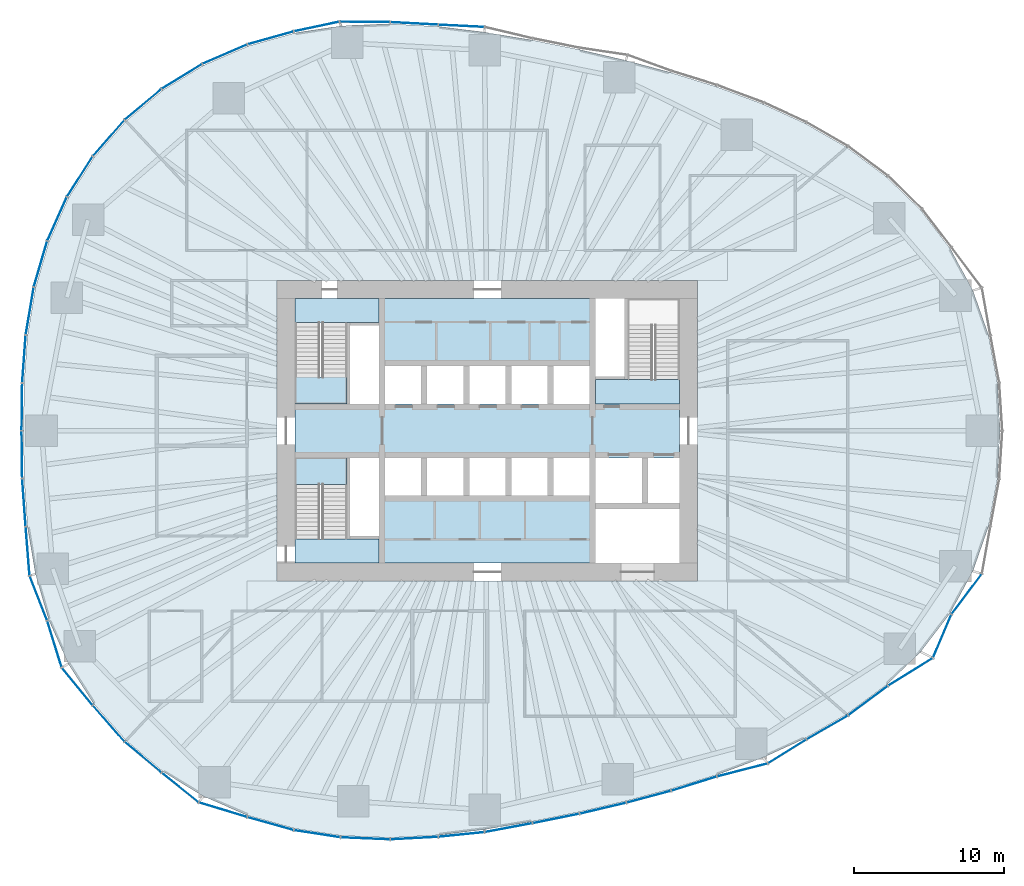
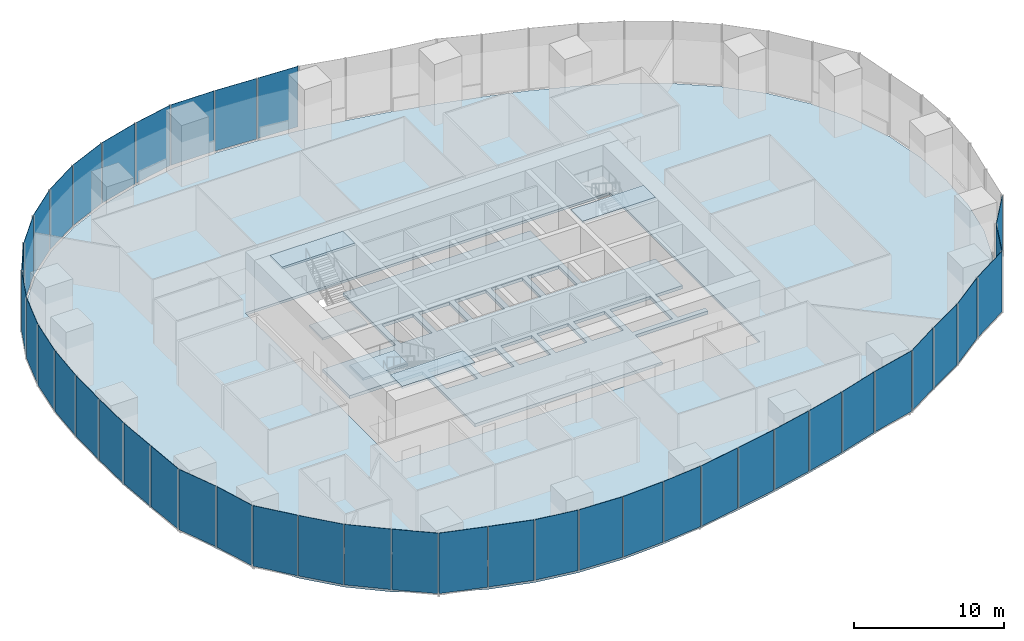
# One storey, part 8 of 20: 42 plates, 7 slabs, 17 elements without a shape of their own.
"""IFC4 building model written with IfcOpenShell, lengths in metres."""

from ifc_helpers import new_model, si_unit, direction, frame, origin, origin_2d, place, context, subcontext, project, spatial, polyline, rectangle, outline, extrude, material, layer, layer_set, type_object, element, aggregate, save


model = new_model("IFC4")

# Units and contexts
model_context = context("Model", 3, precision=1e-05, world=origin(), true_north=direction((0.0, 1.0)))
body_context = subcontext(model_context, "Body", "Model", "MODEL_VIEW")
ifc_project = project(units=[si_unit("LENGTHUNIT", "METRE"), si_unit("AREAUNIT", "SQUARE_METRE"), si_unit("VOLUMEUNIT", "CUBIC_METRE"), si_unit("PLANEANGLEUNIT", "RADIAN"), si_unit("MASSUNIT", "GRAM", prefix="KILO")], contexts=[model_context])

# Site, building, storey
site_placement = place(None, origin())
site = spatial("IfcSite", under=ifc_project, at=site_placement, CompositionType="ELEMENT")
building_placement = place(site_placement, origin())
building = spatial("IfcBuilding", under=site, at=building_placement, Name="Ghaith Harvest Tower", CompositionType="ELEMENT")
storey_placement = place(building_placement, frame((0.0, 0.0, 30.0)))
storey = spatial("IfcBuildingStorey", under=building, at=storey_placement, Name="L06", CompositionType="ELEMENT", Elevation=30.0)

# Curtain wall, plates
ifc_material_1 = material(Name="Black anodised aluminium and fritted glass", Category="aluminium")
curtain_wall_type = type_object("IfcCurtainWallType", Name="CW-F CURTAIN WALL", PredefinedType="NOTDEFINED", material=ifc_material_1)
curtain_wall_1_placement = place(storey_placement, origin())
curtain_wall_1 = element("IfcCurtainWall", 1, at=curtain_wall_1_placement, inside=storey, type_object=curtain_wall_type, Name="Curtain wall CW-F bay 06 L06", PredefinedType="NOTDEFINED")
ifc_material_2 = material(Name="Glass, high-transmission fritted double glazed unit", Category="glass")
ifc_layer_1 = layer(ifc_material_2, 0.028076171875)
ifc_layer_set_1 = layer_set([ifc_layer_1], Name="CW-F VISION PANEL")
plate_type = type_object("IfcPlateType", Name="CW-F VISION PANEL", PredefinedType="CURTAIN_PANEL", material=ifc_layer_set_1)
plate_1_placement = place(storey_placement, frame((-1.722900390625, 26.953369140625, 0.080078125), z_axis=(0.0, 0.0, 1.0), x_axis=(-0.998771443485, 0.049554048048, 0.0)))
plate_1 = element("IfcPlate", 2, at=plate_1_placement, type_object=plate_type, Name="CW-F panel 1 bay 06 L06", PredefinedType="CURTAIN_PANEL", context=body_context, shape_type="SweptSolid", body=[
    extrude(rectangle(XDim=3.001708984375, YDim=0.028076171875, at=origin_2d()), origin(), (0.0, 0.0, 1.0), 4.919921875),
])
plate_2_placement = place(storey_placement, frame((-4.863525390625, 27.11572265625, 0.080078125), z_axis=(0.0, 0.0, 1.0), x_axis=(-0.99856250263, 0.053599704667, 0.0)))
plate_2 = element("IfcPlate", 3, at=plate_2_placement, type_object=plate_type, Name="CW-F panel 2 bay 06 L06", PredefinedType="CURTAIN_PANEL", context=body_context, shape_type="SweptSolid", body=[
    extrude(rectangle(XDim=3.1279296875, YDim=0.028076171875, at=origin_2d()), origin(), (0.0, 0.0, 1.0), 4.919921875),
])
plate_3_placement = place(storey_placement, frame((-8.150390625, 27.217041015625, 0.080078125), z_axis=(0.0, 0.0, 1.0), x_axis=(-0.999959609481, 0.008987736446, 0.0)))
plate_3 = element("IfcPlate", 4, at=plate_3_placement, type_object=plate_type, Name="CW-F panel 3 bay 06 L06", PredefinedType="CURTAIN_PANEL", context=body_context, shape_type="SweptSolid", body=[
    extrude(rectangle(XDim=3.29052734375, YDim=0.028076171875, at=origin_2d()), origin(), (0.0, 0.0, 1.0), 4.919921875),
])
aggregate(curtain_wall_1, [plate_1, plate_2, plate_3])

curtain_wall_2_placement = place(storey_placement, origin())
curtain_wall_2 = element("IfcCurtainWall", 5, at=curtain_wall_2_placement, inside=storey, type_object=curtain_wall_type, Name="Curtain wall CW-F bay 07 L06", PredefinedType="NOTDEFINED")
plate_4_placement = place(storey_placement, frame((-11.358154296875, 26.908447265625, 0.080078125), z_axis=(0.0, 0.0, 1.0), x_axis=(-0.978149320779, -0.207903598476, 0.0)))
plate_4 = element("IfcPlate", 6, at=plate_4_placement, type_object=plate_type, Name="CW-F panel 1 bay 07 L06", PredefinedType="CURTAIN_PANEL", context=body_context, shape_type="SweptSolid", body=[
    extrude(rectangle(XDim=3.032958984375, YDim=0.028076171875, at=origin_2d()), origin(), (0.0, 0.0, 1.0), 4.919921875),
])
plate_5_placement = place(storey_placement, frame((-14.42578125, 26.150634765625, 0.080078125), z_axis=(0.0, 0.0, 1.0), x_axis=(-0.96272968243, -0.270465448012, 0.0)))
plate_5 = element("IfcPlate", 7, at=plate_5_placement, type_object=plate_type, Name="CW-F panel 2 bay 07 L06", PredefinedType="CURTAIN_PANEL", context=body_context, shape_type="SweptSolid", body=[
    extrude(rectangle(XDim=3.13037109375, YDim=0.028076171875, at=origin_2d()), origin(), (0.0, 0.0, 1.0), 4.919921875),
])
plate_6_placement = place(storey_placement, frame((-17.46923828125, 25.0693359375, 0.080078125), z_axis=(0.0, 0.0, 1.0), x_axis=(-0.918002845228, -0.396573796605, 0.0)))
plate_6 = element("IfcPlate", 8, at=plate_6_placement, type_object=plate_type, Name="CW-F panel 3 bay 07 L06", PredefinedType="CURTAIN_PANEL", context=body_context, shape_type="SweptSolid", body=[
    extrude(rectangle(XDim=3.18359375, YDim=0.028076171875, at=origin_2d()), origin(), (0.0, 0.0, 1.0), 4.919921875),
])
aggregate(curtain_wall_2, [plate_4, plate_5, plate_6])

curtain_wall_3_placement = place(storey_placement, origin())
curtain_wall_3 = element("IfcCurtainWall", 9, at=curtain_wall_3_placement, inside=storey, type_object=curtain_wall_type, Name="Curtain wall CW-F bay 08 L06", PredefinedType="NOTDEFINED")
plate_7_placement = place(storey_placement, frame((-20.324462890625, 23.590087890625, 0.080078125), z_axis=(0.0, 0.0, 1.0), x_axis=(-0.852527741552, -0.522681977769, 0.0)))
plate_7 = element("IfcPlate", 10, at=plate_7_placement, type_object=plate_type, Name="CW-F panel 1 bay 08 L06", PredefinedType="CURTAIN_PANEL", context=body_context, shape_type="SweptSolid", body=[
    extrude(rectangle(XDim=3.10400390625, YDim=0.028076171875, at=origin_2d()), origin(), (0.0, 0.0, 1.0), 4.919921875),
])
plate_8_placement = place(storey_placement, frame((-22.91064453125, 21.727294921875, 0.080078125), z_axis=(0.0, 0.0, 1.0), x_axis=(-0.766155215147, -0.642655573619, 0.0)))
plate_8 = element("IfcPlate", 11, at=plate_8_placement, type_object=plate_type, Name="CW-F panel 2 bay 08 L06", PredefinedType="CURTAIN_PANEL", context=body_context, shape_type="SweptSolid", body=[
    extrude(rectangle(XDim=3.1279296875, YDim=0.028076171875, at=origin_2d()), origin(), (0.0, 0.0, 1.0), 4.919921875),
])
plate_9_placement = place(storey_placement, frame((-25.201171875, 19.4853515625, 0.080078125), z_axis=(0.0, 0.0, 1.0), x_axis=(-0.659215937547, -0.751953687194, 0.0)))
plate_9 = element("IfcPlate", 12, at=plate_9_placement, type_object=plate_type, Name="CW-F panel 3 bay 08 L06", PredefinedType="CURTAIN_PANEL", context=body_context, shape_type="SweptSolid", body=[
    extrude(rectangle(XDim=3.1416015625, YDim=0.028076171875, at=origin_2d()), origin(), (0.0, 0.0, 1.0), 4.919921875),
])
aggregate(curtain_wall_3, [plate_7, plate_8, plate_9])

curtain_wall_4_placement = place(storey_placement, origin())
curtain_wall_4 = element("IfcCurtainWall", 13, at=curtain_wall_4_placement, inside=storey, type_object=curtain_wall_type, Name="Curtain wall CW-F bay 09 L06", PredefinedType="NOTDEFINED")
plate_10_placement = place(storey_placement, frame((-27.124755859375, 16.919677734375, 0.080078125), z_axis=(0.0, 0.0, 1.0), x_axis=(-0.536779195227, -0.843722759899, 0.0)))
plate_10 = element("IfcPlate", 14, at=plate_10_placement, type_object=plate_type, Name="CW-F panel 1 bay 09 L06", PredefinedType="CURTAIN_PANEL", context=body_context, shape_type="SweptSolid", body=[
    extrude(rectangle(XDim=3.13037109375, YDim=0.028076171875, at=origin_2d()), origin(), (0.0, 0.0, 1.0), 4.919921875),
])
plate_11_placement = place(storey_placement, frame((-28.639404296875, 14.100341796875, 0.080078125), z_axis=(0.0, 0.0, 1.0), x_axis=(-0.407134417018, -0.913368253488, 0.0)))
plate_11 = element("IfcPlate", 15, at=plate_11_placement, type_object=plate_type, Name="CW-F panel 2 bay 09 L06", PredefinedType="CURTAIN_PANEL", context=body_context, shape_type="SweptSolid", body=[
    extrude(rectangle(XDim=3.1279296875, YDim=0.028076171875, at=origin_2d()), origin(), (0.0, 0.0, 1.0), 4.919921875),
])
plate_12_placement = place(storey_placement, frame((-29.740478515625, 11.101318359375, 0.080078125), z_axis=(0.0, 0.0, 1.0), x_axis=(-0.280296918708, -0.959913348882, 0.0)))
plate_12 = element("IfcPlate", 16, at=plate_12_placement, type_object=plate_type, Name="CW-F panel 3 bay 09 L06", PredefinedType="CURTAIN_PANEL", context=body_context, shape_type="SweptSolid", body=[
    extrude(rectangle(XDim=3.1162109375, YDim=0.028076171875, at=origin_2d()), origin(), (0.0, 0.0, 1.0), 4.919921875),
])
aggregate(curtain_wall_4, [plate_10, plate_11, plate_12])

curtain_wall_5_placement = place(storey_placement, origin())
curtain_wall_5 = element("IfcCurtainWall", 17, at=curtain_wall_5_placement, inside=storey, type_object=curtain_wall_type, Name="Curtain wall CW-F bay 10 L06", PredefinedType="NOTDEFINED")
plate_13_placement = place(storey_placement, frame((-30.456298828125, 7.971435546875, 0.080078125), z_axis=(0.0, 0.0, 1.0), x_axis=(-0.165581316368, -0.986196140567, 0.0)))
plate_13 = element("IfcPlate", 18, at=plate_13_placement, type_object=plate_type, Name="CW-F panel 1 bay 10 L06", PredefinedType="CURTAIN_PANEL", context=body_context, shape_type="SweptSolid", body=[
    extrude(rectangle(XDim=3.156494140625, YDim=0.028076171875, at=origin_2d()), origin(), (0.0, 0.0, 1.0), 4.919921875),
])
plate_14_placement = place(storey_placement, frame((-30.84033203125, 4.77685546875, 0.080078125), z_axis=(0.0, 0.0, 1.0), x_axis=(-0.072420546123, -0.997374184797, 0.0)))
plate_14 = element("IfcPlate", 19, at=plate_14_placement, type_object=plate_type, Name="CW-F panel 2 bay 10 L06", PredefinedType="CURTAIN_PANEL", context=body_context, shape_type="SweptSolid", body=[
    extrude(rectangle(XDim=3.1259765625, YDim=0.028076171875, at=origin_2d()), origin(), (0.0, 0.0, 1.0), 4.919921875),
])
plate_15_placement = place(storey_placement, frame((-30.975830078125, 1.589111328125, 0.080078125), z_axis=(0.0, 0.0, 1.0), x_axis=(-0.012133206476, -0.999926389941, 0.0)))
plate_15 = element("IfcPlate", 20, at=plate_15_placement, type_object=plate_type, Name="CW-F panel 3 bay 10 L06", PredefinedType="CURTAIN_PANEL", context=body_context, shape_type="SweptSolid", body=[
    extrude(rectangle(XDim=3.09814453125, YDim=0.028076171875, at=origin_2d()), origin(), (0.0, 0.0, 1.0), 4.919921875),
])
aggregate(curtain_wall_5, [plate_13, plate_14, plate_15])

curtain_wall_6_placement = place(storey_placement, origin())
curtain_wall_6 = element("IfcCurtainWall", 21, at=curtain_wall_6_placement, inside=storey, type_object=curtain_wall_type, Name="Curtain wall CW-F bay 11 L06", PredefinedType="NOTDEFINED")
plate_16_placement = place(storey_placement, frame((-30.975830078125, -1.589111328125, 0.080078125), z_axis=(0.0, 0.0, 1.0), x_axis=(0.012133206773, -0.999926389937, 0.0)))
plate_16 = element("IfcPlate", 22, at=plate_16_placement, type_object=plate_type, Name="CW-F panel 1 bay 11 L06", PredefinedType="CURTAIN_PANEL", context=body_context, shape_type="SweptSolid", body=[
    extrude(rectangle(XDim=3.09814453125, YDim=0.028076171875, at=origin_2d()), origin(), (0.0, 0.0, 1.0), 4.919921875),
])
plate_17_placement = place(storey_placement, frame((-30.84033203125, -4.77685546875, 0.080078125), z_axis=(0.0, 0.0, 1.0), x_axis=(0.072420546349, -0.99737418478, 0.0)))
plate_17 = element("IfcPlate", 23, at=plate_17_placement, type_object=plate_type, Name="CW-F panel 2 bay 11 L06", PredefinedType="CURTAIN_PANEL", context=body_context, shape_type="SweptSolid", body=[
    extrude(rectangle(XDim=3.1259765625, YDim=0.028076171875, at=origin_2d()), origin(), (0.0, 0.0, 1.0), 4.919921875),
])
plate_18_placement = place(storey_placement, frame((-30.594482421875, -8.01513671875, 0.080078125), z_axis=(0.0, 0.0, 1.0), x_axis=(0.078867084181, -0.996885140341, 0.0)))
plate_18 = element("IfcPlate", 24, at=plate_18_placement, type_object=plate_type, Name="CW-F panel 3 bay 11 L06", PredefinedType="CURTAIN_PANEL", context=body_context, shape_type="SweptSolid", body=[
    extrude(rectangle(XDim=3.209716796875, YDim=0.028076171875, at=origin_2d()), origin(), (0.0, 0.0, 1.0), 4.919921875),
])
aggregate(curtain_wall_6, [plate_16, plate_17, plate_18])

curtain_wall_7_placement = place(storey_placement, origin())
curtain_wall_7 = element("IfcCurtainWall", 25, at=curtain_wall_7_placement, inside=storey, type_object=curtain_wall_type, Name="Curtain wall CW-F bay 12 L06", PredefinedType="NOTDEFINED")
plate_19_placement = place(storey_placement, frame((-29.878662109375, -11.14501953125, 0.080078125), z_axis=(0.0, 0.0, 1.0), x_axis=(0.366039738151, -0.930599220983, 0.0)))
plate_19 = element("IfcPlate", 26, at=plate_19_placement, type_object=plate_type, Name="CW-F panel 1 bay 12 L06", PredefinedType="CURTAIN_PANEL", context=body_context, shape_type="SweptSolid", body=[
    extrude(rectangle(XDim=3.122802734375, YDim=0.028076171875, at=origin_2d()), origin(), (0.0, 0.0, 1.0), 4.919921875),
])
plate_20_placement = place(storey_placement, frame((-28.809814453125, -14.195068359375, 0.080078125), z_axis=(0.0, 0.0, 1.0), x_axis=(0.295583054454, -0.95531704576, 0.0)))
plate_20 = element("IfcPlate", 27, at=plate_20_placement, type_object=plate_type, Name="CW-F panel 2 bay 12 L06", PredefinedType="CURTAIN_PANEL", context=body_context, shape_type="SweptSolid", body=[
    extrude(rectangle(XDim=3.185546875, YDim=0.028076171875, at=origin_2d()), origin(), (0.0, 0.0, 1.0), 4.919921875),
])
plate_21_placement = place(storey_placement, frame((-27.295166015625, -17.014404296875, 0.080078125), z_axis=(0.0, 0.0, 1.0), x_axis=(0.633789860881, -0.773505276158, 0.0)))
plate_21 = element("IfcPlate", 28, at=plate_21_placement, type_object=plate_type, Name="CW-F panel 3 bay 12 L06", PredefinedType="CURTAIN_PANEL", context=body_context, shape_type="SweptSolid", body=[
    extrude(rectangle(XDim=3.1767578125, YDim=0.028076171875, at=origin_2d()), origin(), (0.0, 0.0, 1.0), 4.919921875),
])
aggregate(curtain_wall_7, [plate_19, plate_20, plate_21])

curtain_wall_8_placement = place(storey_placement, origin())
curtain_wall_8 = element("IfcCurtainWall", 29, at=curtain_wall_8_placement, inside=storey, type_object=curtain_wall_type, Name="Curtain wall CW-F bay 13 L06", PredefinedType="NOTDEFINED")
plate_22_placement = place(storey_placement, frame((-25.201171875, -19.4853515625, 0.080078125), z_axis=(0.0, 0.0, 1.0), x_axis=(0.659215937337, -0.751953687378, 0.0)))
plate_22 = element("IfcPlate", 30, at=plate_22_placement, type_object=plate_type, Name="CW-F panel 1 bay 13 L06", PredefinedType="CURTAIN_PANEL", context=body_context, shape_type="SweptSolid", body=[
    extrude(rectangle(XDim=3.1416015625, YDim=0.028076171875, at=origin_2d()), origin(), (0.0, 0.0, 1.0), 4.919921875),
])
plate_23_placement = place(storey_placement, frame((-22.91064453125, -21.727294921875, 0.080078125), z_axis=(0.0, 0.0, 1.0), x_axis=(0.76615521545, -0.642655573258, 0.0)))
plate_23 = element("IfcPlate", 31, at=plate_23_placement, type_object=plate_type, Name="CW-F panel 2 bay 13 L06", PredefinedType="CURTAIN_PANEL", context=body_context, shape_type="SweptSolid", body=[
    extrude(rectangle(XDim=3.1279296875, YDim=0.028076171875, at=origin_2d()), origin(), (0.0, 0.0, 1.0), 4.919921875),
])
plate_24_placement = place(storey_placement, frame((-20.447265625, -23.748046875, 0.080078125), z_axis=(0.0, 0.0, 1.0), x_axis=(0.780122054158, -0.625627349639, 0.0)))
plate_24 = element("IfcPlate", 32, at=plate_24_placement, type_object=plate_type, Name="CW-F panel 3 bay 13 L06", PredefinedType="CURTAIN_PANEL", context=body_context, shape_type="SweptSolid", body=[
    extrude(rectangle(XDim=3.085205078125, YDim=0.028076171875, at=origin_2d()), origin(), (0.0, 0.0, 1.0), 4.919921875),
])
aggregate(curtain_wall_8, [plate_22, plate_23, plate_24])

curtain_wall_9_placement = place(storey_placement, origin())
curtain_wall_9 = element("IfcCurtainWall", 33, at=curtain_wall_9_placement, inside=storey, type_object=curtain_wall_type, Name="Curtain wall CW-F bay 14 L06", PredefinedType="NOTDEFINED")
plate_25_placement = place(storey_placement, frame((-17.591796875, -25.227294921875, 0.080078125), z_axis=(0.0, 0.0, 1.0), x_axis=(0.95734234218, -0.288956121011, 0.0)))
plate_25 = element("IfcPlate", 34, at=plate_25_placement, type_object=plate_type, Name="CW-F panel 1 bay 14 L06", PredefinedType="CURTAIN_PANEL", context=body_context, shape_type="SweptSolid", body=[
    extrude(rectangle(XDim=3.3056640625, YDim=0.028076171875, at=origin_2d()), origin(), (0.0, 0.0, 1.0), 4.919921875),
])
plate_26_placement = place(storey_placement, frame((-14.42578125, -26.150634765625, 0.080078125), z_axis=(0.0, 0.0, 1.0), x_axis=(0.962729682704, -0.270465447038, 0.0)))
plate_26 = element("IfcPlate", 35, at=plate_26_placement, type_object=plate_type, Name="CW-F panel 2 bay 14 L06", PredefinedType="CURTAIN_PANEL", context=body_context, shape_type="SweptSolid", body=[
    extrude(rectangle(XDim=3.13037109375, YDim=0.028076171875, at=origin_2d()), origin(), (0.0, 0.0, 1.0), 4.919921875),
])
plate_27_placement = place(storey_placement, frame((-11.327392578125, -26.82373046875, 0.080078125), z_axis=(0.0, 0.0, 1.0), x_axis=(0.98836987371, -0.152069039392, 0.0)))
plate_27 = element("IfcPlate", 36, at=plate_27_placement, type_object=plate_type, Name="CW-F panel 3 bay 14 L06", PredefinedType="CURTAIN_PANEL", context=body_context, shape_type="SweptSolid", body=[
    extrude(rectangle(XDim=3.0625, YDim=0.028076171875, at=origin_2d()), origin(), (0.0, 0.0, 1.0), 4.919921875),
])
aggregate(curtain_wall_9, [plate_25, plate_26, plate_27])

curtain_wall_10_placement = place(storey_placement, origin())
curtain_wall_10 = element("IfcCurtainWall", 37, at=curtain_wall_10_placement, inside=storey, type_object=curtain_wall_type, Name="Curtain wall CW-F bay 15 L06", PredefinedType="NOTDEFINED")
plate_28_placement = place(storey_placement, frame((-8.119873046875, -27.13232421875, 0.080078125), z_axis=(0.0, 0.0, 1.0), x_axis=(0.999118988518, -0.041967210794, 0.0)))
plate_28 = element("IfcPlate", 38, at=plate_28_placement, type_object=plate_type, Name="CW-F panel 1 bay 15 L06", PredefinedType="CURTAIN_PANEL", context=body_context, shape_type="SweptSolid", body=[
    extrude(rectangle(XDim=3.232177734375, YDim=0.028076171875, at=origin_2d()), origin(), (0.0, 0.0, 1.0), 4.919921875),
])
plate_29_placement = place(storey_placement, frame((-4.863525390625, -27.11572265625, 0.080078125), z_axis=(0.0, 0.0, 1.0), x_axis=(0.998562502616, 0.053599704928, 0.0)))
plate_29 = element("IfcPlate", 39, at=plate_29_placement, type_object=plate_type, Name="CW-F panel 2 bay 15 L06", PredefinedType="CURTAIN_PANEL", context=body_context, shape_type="SweptSolid", body=[
    extrude(rectangle(XDim=3.1279296875, YDim=0.028076171875, at=origin_2d()), origin(), (0.0, 0.0, 1.0), 4.919921875),
])
plate_30_placement = place(storey_placement, frame((-1.722412109375, -26.87353515625, 0.080078125), z_axis=(0.0, 0.0, 1.0), x_axis=(0.99488222177, 0.101041401443, 0.0)))
plate_30 = element("IfcPlate", 40, at=plate_30_placement, type_object=plate_type, Name="CW-F panel 3 bay 15 L06", PredefinedType="CURTAIN_PANEL", context=body_context, shape_type="SweptSolid", body=[
    extrude(rectangle(XDim=3.014892578125, YDim=0.028076171875, at=origin_2d()), origin(), (0.0, 0.0, 1.0), 4.919921875),
])
aggregate(curtain_wall_10, [plate_28, plate_29, plate_30])

curtain_wall_11_placement = place(storey_placement, origin())
curtain_wall_11 = element("IfcCurtainWall", 41, at=curtain_wall_11_placement, inside=storey, type_object=curtain_wall_type, Name="Curtain wall CW-F bay 16 L06", PredefinedType="NOTDEFINED")
plate_31_placement = place(storey_placement, frame((1.4130859375, -26.420166015625, 0.080078125), z_axis=(0.0, 0.0, 1.0), x_axis=(0.983131230266, 0.182901569365, 0.0)))
plate_31 = element("IfcPlate", 42, at=plate_31_placement, type_object=plate_type, Name="CW-F panel 1 bay 16 L06", PredefinedType="CURTAIN_PANEL", context=body_context, shape_type="SweptSolid", body=[
    extrude(rectangle(XDim=3.166748046875, YDim=0.028076171875, at=origin_2d()), origin(), (0.0, 0.0, 1.0), 4.919921875),
])
plate_32_placement = place(storey_placement, frame((4.5732421875, -25.809326171875, 0.080078125), z_axis=(0.0, 0.0, 1.0), x_axis=(0.98043234808, 0.196856320293, 0.0)))
plate_32 = element("IfcPlate", 43, at=plate_32_placement, type_object=plate_type, Name="CW-F panel 2 bay 16 L06", PredefinedType="CURTAIN_PANEL", context=body_context, shape_type="SweptSolid", body=[
    extrude(rectangle(XDim=3.1103515625, YDim=0.028076171875, at=origin_2d()), origin(), (0.0, 0.0, 1.0), 4.919921875),
])
plate_33_placement = place(storey_placement, frame((7.697265625, -25.129150390625, 0.080078125), z_axis=(0.0, 0.0, 1.0), x_axis=(0.973564757908, 0.228411169079, 0.0)))
plate_33 = element("IfcPlate", 44, at=plate_33_placement, type_object=plate_type, Name="CW-F panel 3 bay 16 L06", PredefinedType="CURTAIN_PANEL", context=body_context, shape_type="SweptSolid", body=[
    extrude(rectangle(XDim=3.125, YDim=0.028076171875, at=origin_2d()), origin(), (0.0, 0.0, 1.0), 4.919921875),
])
aggregate(curtain_wall_11, [plate_31, plate_32, plate_33])

curtain_wall_12_placement = place(storey_placement, origin())
curtain_wall_12 = element("IfcCurtainWall", 45, at=curtain_wall_12_placement, inside=storey, type_object=curtain_wall_type, Name="Curtain wall CW-F bay 17 L06", PredefinedType="NOTDEFINED")
plate_34_placement = place(storey_placement, frame((10.745849609375, -24.36376953125, 0.080078125), z_axis=(0.0, 0.0, 1.0), x_axis=(0.965848435029, 0.259107700681, 0.0)))
plate_34 = element("IfcPlate", 46, at=plate_34_placement, type_object=plate_type, Name="CW-F panel 1 bay 17 L06", PredefinedType="CURTAIN_PANEL", context=body_context, shape_type="SweptSolid", body=[
    extrude(rectangle(XDim=3.002197265625, YDim=0.028076171875, at=origin_2d()), origin(), (0.0, 0.0, 1.0), 4.919921875),
])
plate_35_placement = place(storey_placement, frame((13.760986328125, -23.490234375, 0.080078125), z_axis=(0.0, 0.0, 1.0), x_axis=(0.954988265447, 0.296643578827, 0.0)))
plate_35 = element("IfcPlate", 47, at=plate_35_placement, type_object=plate_type, Name="CW-F panel 2 bay 17 L06", PredefinedType="CURTAIN_PANEL", context=body_context, shape_type="SweptSolid", body=[
    extrude(rectangle(XDim=3.1171875, YDim=0.028076171875, at=origin_2d()), origin(), (0.0, 0.0, 1.0), 4.919921875),
])
plate_36_placement = place(storey_placement, frame((16.980712890625, -22.580322265625, 0.080078125), z_axis=(0.0, 0.0, 1.0), x_axis=(0.968451429434, 0.249202385275, 0.0)))
plate_36 = element("IfcPlate", 48, at=plate_36_placement, type_object=plate_type, Name="CW-F panel 3 bay 17 L06", PredefinedType="CURTAIN_PANEL", context=body_context, shape_type="SweptSolid", body=[
    extrude(rectangle(XDim=3.416748046875, YDim=0.028076171875, at=origin_2d()), origin(), (0.0, 0.0, 1.0), 4.919921875),
])
aggregate(curtain_wall_12, [plate_34, plate_35, plate_36])

curtain_wall_13_placement = place(storey_placement, origin())
curtain_wall_13 = element("IfcCurtainWall", 49, at=curtain_wall_13_placement, inside=storey, type_object=curtain_wall_type, Name="Curtain wall CW-F bay 18 L06", PredefinedType="NOTDEFINED")
plate_37_placement = place(storey_placement, frame((19.954833984375, -21.348876953125, 0.080078125), z_axis=(0.0, 0.0, 1.0), x_axis=(0.849360700005, 0.527812846837, 0.0)))
plate_37 = element("IfcPlate", 50, at=plate_37_placement, type_object=plate_type, Name="CW-F panel 1 bay 18 L06", PredefinedType="CURTAIN_PANEL", context=body_context, shape_type="SweptSolid", body=[
    extrude(rectangle(XDim=2.935791015625, YDim=0.028076171875, at=origin_2d()), origin(), (0.0, 0.0, 1.0), 4.919921875),
])
plate_38_placement = place(storey_placement, frame((22.626953125, -19.750244140625, 0.080078125), z_axis=(0.0, 0.0, 1.0), x_axis=(0.866159208454, 0.499768171866, 0.0)))
plate_38 = element("IfcPlate", 51, at=plate_38_placement, type_object=plate_type, Name="CW-F panel 2 bay 18 L06", PredefinedType="CURTAIN_PANEL", context=body_context, shape_type="SweptSolid", body=[
    extrude(rectangle(XDim=3.1328125, YDim=0.028076171875, at=origin_2d()), origin(), (0.0, 0.0, 1.0), 4.919921875),
])
plate_39_placement = place(storey_placement, frame((25.34619140625, -17.96142578125, 0.080078125), z_axis=(0.0, 0.0, 1.0), x_axis=(0.802866788713, 0.596158468515, 0.0)))
plate_39 = element("IfcPlate", 52, at=plate_39_placement, type_object=plate_type, Name="CW-F panel 3 bay 18 L06", PredefinedType="CURTAIN_PANEL", context=body_context, shape_type="SweptSolid", body=[
    extrude(rectangle(XDim=3.2275390625, YDim=0.028076171875, at=origin_2d()), origin(), (0.0, 0.0, 1.0), 4.919921875),
])
aggregate(curtain_wall_13, [plate_37, plate_38, plate_39])

curtain_wall_14_placement = place(storey_placement, origin())
curtain_wall_14 = element("IfcCurtainWall", 53, at=curtain_wall_14_placement, inside=storey, type_object=curtain_wall_type, Name="Curtain wall CW-F bay 19 L06", PredefinedType="NOTDEFINED")
plate_40_placement = place(storey_placement, frame((28.166748046875, -16.05126953125, 0.080078125), z_axis=(0.0, 0.0, 1.0), x_axis=(0.850245604669, 0.526386181184, 0.0)))
plate_40 = element("IfcPlate", 54, at=plate_40_placement, type_object=plate_type, Name="CW-F panel 1 bay 19 L06", PredefinedType="CURTAIN_PANEL", context=body_context, shape_type="SweptSolid", body=[
    extrude(rectangle(XDim=3.431884765625, YDim=0.028076171875, at=origin_2d()), origin(), (0.0, 0.0, 1.0), 4.919921875),
])
plate_41_placement = place(storey_placement, frame((30.2783203125, -13.6708984375, 0.080078125), z_axis=(0.0, 0.0, 1.0), x_axis=(0.390980294296, 0.920399049039, 0.0)))
plate_41 = element("IfcPlate", 55, at=plate_41_placement, type_object=plate_type, Name="CW-F panel 2 bay 19 L06", PredefinedType="CURTAIN_PANEL", context=body_context, shape_type="SweptSolid", body=[
    extrude(rectangle(XDim=3.083740234375, YDim=0.028076171875, at=origin_2d()), origin(), (0.0, 0.0, 1.0), 4.919921875),
])
plate_42_placement = place(storey_placement, frame((31.91015625, -10.865234375, 0.080078125), z_axis=(0.0, 0.0, 1.0), x_axis=(0.600454091429, 0.799659229976, 0.0)))
plate_42 = element("IfcPlate", 56, at=plate_42_placement, type_object=plate_type, Name="CW-F panel 3 bay 19 L06", PredefinedType="CURTAIN_PANEL", context=body_context, shape_type="SweptSolid", body=[
    extrude(rectangle(XDim=3.295654296875, YDim=0.028076171875, at=origin_2d()), origin(), (0.0, 0.0, 1.0), 4.919921875),
])
aggregate(curtain_wall_14, [plate_40, plate_41, plate_42])

# Slabs
ifc_material_3 = material(Name="Concrete C40/50", Category="concrete")
ifc_layer_2 = layer(ifc_material_3, 0.199951171875)
ifc_layer_set_2 = layer_set([ifc_layer_2], Name="FLOOR SLAB 200")
slab_type_1 = type_object("IfcSlabType", Name="FLOOR SLAB 200", PredefinedType="FLOOR", material=ifc_layer_set_2)
slab_1_placement = place(storey_placement, frame((0.0, 0.0, -0.199951171875)))
element("IfcSlab", 57, at=slab_1_placement, inside=storey, type_object=slab_type_1, Name="Floor slab L06", PredefinedType="FLOOR", context=body_context, shape_type="SweptSolid", body=[
    extrude(outline(polyline([(34.125, 0.0), (33.95849609375, 3.194091796875), (33.37158203125, 6.333984375), (32.318359375, 9.3408203125), (30.78515625, 12.1708984375), (28.840087890625, 14.708984375), (26.572509765625, 16.9111328125), (23.92431640625, 18.873046875), (21.149169921875, 20.469482421875), (18.34521484375, 21.7548828125), (15.22119140625, 22.916259765625), (12.1796875, 23.857666015625), (9.21533203125, 24.65087890625), (6.10888671875, 25.378662109375), (2.99560546875, 26.004150390625), (-0.181396484375, 26.527099609375), (-3.24755859375, 26.91064453125), (-6.4375, 27.0849609375), (-9.733642578125, 26.949951171875), (-12.828125, 26.476806640625), (-15.907958984375, 25.614501953125), (-18.8935546875, 24.32763671875), (-21.59912109375, 22.671142578125), (-24.04833984375, 20.618408203125), (-26.16455078125, 18.20556640625), (-27.881591796875, 15.507080078125), (-29.182373046875, 12.587890625), (-30.073974609375, 9.531005859375), (-30.606689453125, 6.35107421875), (-30.837158203125, 3.165771484375), (-30.875, 0.0), (-30.837158203125, -3.165771484375), (-30.606689453125, -6.35107421875), (-30.073974609375, -9.531005859375), (-29.182373046875, -12.587890625), (-27.881591796875, -15.507080078125), (-26.16455078125, -18.20556640625), (-24.04833984375, -20.618408203125), (-21.59912109375, -22.671142578125), (-18.8935546875, -24.32763671875), (-15.907958984375, -25.614501953125), (-12.828125, -26.476806640625), (-9.733642578125, -26.949951171875), (-6.4375, -27.0849609375), (-3.24755859375, -26.91064453125), (-0.181396484375, -26.527099609375), (2.99560546875, -26.004150390625), (6.10888671875, -25.378662109375), (9.21533203125, -24.65087890625), (12.1796875, -23.857666015625), (15.22119140625, -22.916259765625), (18.34521484375, -21.7548828125), (21.149169921875, -20.469482421875), (23.92431640625, -18.873046875), (26.572509765625, -16.9111328125), (28.840087890625, -14.708984375), (30.78515625, -12.1708984375), (32.318359375, -9.3408203125), (33.37158203125, -6.333984375), (33.95849609375, -3.194091796875), (34.125, 0.0)]), holes=[polyline([(-14.0, -10.0), (14.0, -10.0), (14.0, 10.0), (-14.0, 10.0), (-14.0, -10.0)])]), origin(), (0.0, 0.0, 1.0), 0.199951171875),
])
ifc_material_4 = material(Name="Concrete C40/50", Category="concrete")
ifc_layer_3 = layer(ifc_material_4, 0.25)
ifc_layer_set_3 = layer_set([ifc_layer_3], Name="FLOOR SLAB 250")
slab_type_2 = type_object("IfcSlabType", Name="FLOOR SLAB 250", PredefinedType="FLOOR", material=ifc_layer_set_3)
slab_2_placement = place(storey_placement, frame((0.0, 0.0, -0.25)))
element("IfcSlab", 58, at=slab_2_placement, inside=storey, type_object=slab_type_2, Name="Core slab L06", PredefinedType="FLOOR", context=body_context, shape_type="SweptSolid", body=[
    extrude(outline(polyline([(-12.800048828125, 1.800048828125), (-7.199951171875, 1.800048828125), (-7.199951171875, 8.800048828125), (7.199951171875, 8.800048828125), (7.199951171875, 1.800048828125), (12.800048828125, 1.800048828125), (12.800048828125, -1.800048828125), (10.699951171875, -1.800048828125), (10.699951171875, -4.800048828125), (12.800048828125, -4.800048828125), (12.800048828125, -5.199951171875), (7.199951171875, -5.199951171875), (7.199951171875, -8.800048828125), (-7.199951171875, -8.800048828125), (-7.199951171875, -1.800048828125), (-12.800048828125, -1.800048828125), (-12.800048828125, 1.800048828125)]), holes=[polyline([(-4.39990234375, -4.300048828125), (-4.39990234375, -1.800048828125), (-6.800048828125, -1.800048828125), (-6.800048828125, -4.300048828125), (-4.39990234375, -4.300048828125)]), polyline([(-1.60009765625, -4.300048828125), (-1.60009765625, -1.800048828125), (-4.0, -1.800048828125), (-4.0, -4.300048828125), (-1.60009765625, -4.300048828125)]), polyline([(1.199951171875, -4.300048828125), (1.199951171875, -1.800048828125), (-1.199951171875, -1.800048828125), (-1.199951171875, -4.300048828125), (1.199951171875, -4.300048828125)]), polyline([(-4.39990234375, 1.800048828125), (-4.39990234375, 4.300048828125), (-6.800048828125, 4.300048828125), (-6.800048828125, 1.800048828125), (-4.39990234375, 1.800048828125)]), polyline([(-1.60009765625, 1.800048828125), (-1.60009765625, 4.300048828125), (-4.0, 4.300048828125), (-4.0, 1.800048828125), (-1.60009765625, 1.800048828125)]), polyline([(1.199951171875, 1.800048828125), (1.199951171875, 4.300048828125), (-1.199951171875, 4.300048828125), (-1.199951171875, 1.800048828125), (1.199951171875, 1.800048828125)]), polyline([(10.300048828125, -4.800048828125), (10.300048828125, -1.800048828125), (7.199951171875, -1.800048828125), (7.199951171875, -4.800048828125), (10.300048828125, -4.800048828125)]), polyline([(4.0, -4.300048828125), (4.0, -1.800048828125), (1.60009765625, -1.800048828125), (1.60009765625, -4.300048828125), (4.0, -4.300048828125)]), polyline([(6.800048828125, -4.300048828125), (6.800048828125, -1.800048828125), (4.39990234375, -1.800048828125), (4.39990234375, -4.300048828125), (6.800048828125, -4.300048828125)]), polyline([(4.0, 1.800048828125), (4.0, 4.300048828125), (1.60009765625, 4.300048828125), (1.60009765625, 1.800048828125), (4.0, 1.800048828125)]), polyline([(6.800048828125, 1.800048828125), (6.800048828125, 4.300048828125), (4.39990234375, 4.300048828125), (4.39990234375, 1.800048828125), (6.800048828125, 1.800048828125)])]), origin(), (0.0, 0.0, 1.0), 0.25),
])

# Stair, slabs
ifc_material_5 = material(Name="Concrete C40/50, precast", Category="concrete")
stair_type = type_object("IfcStairType", Name="CORE STAIR 28R", PredefinedType="HALF_TURN_STAIR", material=ifc_material_5)
stair_1_placement = place(storey_placement, origin())
stair_1 = element("IfcStair", 59, at=stair_1_placement, inside=storey, type_object=stair_type, Name="Stair ST1 L06", PredefinedType="HALF_TURN_STAIR")
ifc_material_6 = material(Name="Concrete C40/50, precast", Category="concrete")
ifc_layer_4 = layer(ifc_material_6, 0.179931640625)
ifc_layer_set_4 = layer_set([ifc_layer_4], Name="STAIR LANDING 180")
slab_type_3 = type_object("IfcSlabType", Name="STAIR LANDING 180", PredefinedType="LANDING", material=ifc_layer_set_4)
slab_3_placement = place(storey_placement, frame((0.0, 0.0, 2.320068359375)))
slab_3 = element("IfcSlab", 60, at=slab_3_placement, type_object=slab_type_3, Name="ST1 landing 1", PredefinedType="LANDING", context=body_context, shape_type="SweptSolid", body=[
    extrude(outline(polyline([(-12.800048828125, 3.580078125), (-12.800048828125, 1.800048828125), (-9.35009765625, 1.800048828125), (-9.35009765625, 3.580078125), (-12.800048828125, 3.580078125)])), origin(), (0.0, 0.0, 1.0), 0.179931640625),
])
slab_4_placement = place(storey_placement, frame((0.0, 0.0, 4.820068359375)))
slab_4 = element("IfcSlab", 61, at=slab_4_placement, type_object=slab_type_3, Name="ST1 landing 2", PredefinedType="LANDING", context=body_context, shape_type="SweptSolid", body=[
    extrude(outline(polyline([(-12.800048828125, 8.800048828125), (-12.800048828125, 7.199951171875), (-7.199951171875, 7.199951171875), (-7.199951171875, 8.800048828125), (-12.800048828125, 8.800048828125)])), origin(), (0.0, 0.0, 1.0), 0.179931640625),
])
aggregate(stair_1, [slab_3, slab_4])

stair_2_placement = place(storey_placement, origin())
stair_2 = element("IfcStair", 62, at=stair_2_placement, inside=storey, type_object=stair_type, Name="Stair ST3 L06", PredefinedType="HALF_TURN_STAIR")
slab_5_placement = place(storey_placement, frame((0.0, 0.0, 2.320068359375)))
slab_5 = element("IfcSlab", 63, at=slab_5_placement, type_object=slab_type_3, Name="ST3 landing 1", PredefinedType="LANDING", context=body_context, shape_type="SweptSolid", body=[
    extrude(outline(polyline([(-12.800048828125, -3.580078125), (-12.800048828125, -1.800048828125), (-9.35009765625, -1.800048828125), (-9.35009765625, -3.580078125), (-12.800048828125, -3.580078125)])), origin(), (0.0, 0.0, 1.0), 0.179931640625),
])
slab_6_placement = place(storey_placement, frame((0.0, 0.0, 4.820068359375)))
slab_6 = element("IfcSlab", 64, at=slab_6_placement, type_object=slab_type_3, Name="ST3 landing 2", PredefinedType="LANDING", context=body_context, shape_type="SweptSolid", body=[
    extrude(outline(polyline([(-12.800048828125, -8.800048828125), (-12.800048828125, -7.199951171875), (-7.199951171875, -7.199951171875), (-7.199951171875, -8.800048828125), (-12.800048828125, -8.800048828125)])), origin(), (0.0, 0.0, 1.0), 0.179931640625),
])
aggregate(stair_2, [slab_5, slab_6])

# Stair, slab
stair_3_placement = place(storey_placement, origin())
stair_3 = element("IfcStair", 65, at=stair_3_placement, inside=storey, type_object=stair_type, Name="Stair ST2 L06", PredefinedType="HALF_TURN_STAIR")
slab_7_placement = place(storey_placement, frame((0.0, 0.0, 4.820068359375)))
slab_7 = element("IfcSlab", 66, at=slab_7_placement, type_object=slab_type_3, Name="ST2 landing 2", PredefinedType="LANDING", context=body_context, shape_type="SweptSolid", body=[
    extrude(outline(polyline([(12.800048828125, 1.800048828125), (12.800048828125, 3.39990234375), (7.199951171875, 3.39990234375), (7.199951171875, 1.800048828125), (12.800048828125, 1.800048828125)])), origin(), (0.0, 0.0, 1.0), 0.179931640625),
])
aggregate(stair_3, [slab_7])

save(model, "model.ifc")
